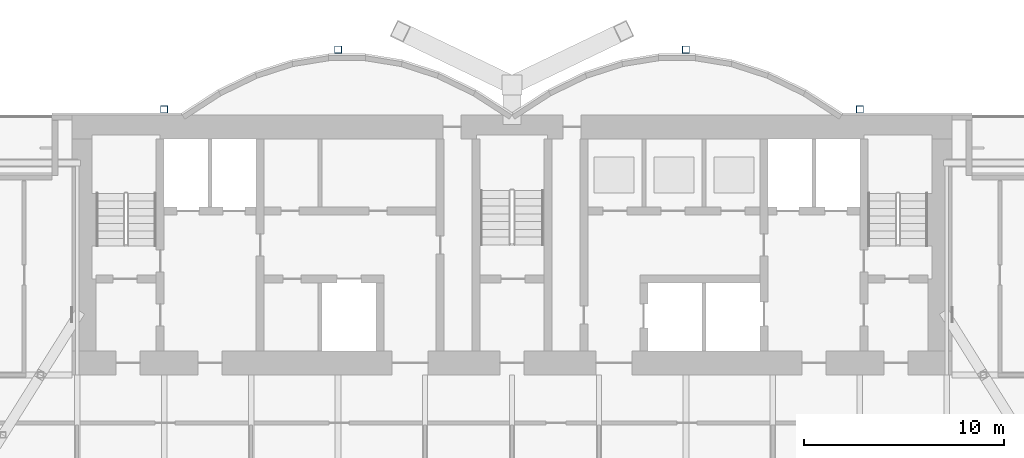
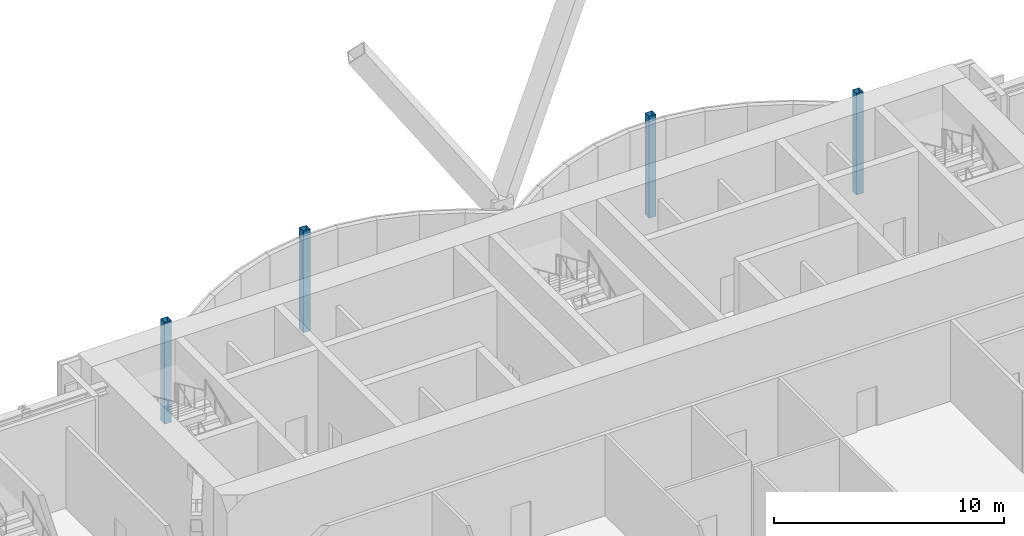
# One storey, part 3 of 31: 4 columns.
"""IFC4 building model written with IfcOpenShell, lengths in metres."""

from ifc_helpers import new_model, si_unit, direction, frame, origin, origin_2d, place, context, subcontext, project, spatial, hollow_rectangle, extrude, material, material_profile, profile_set, type_object, element, save


model = new_model("IFC4")

# Units and contexts
model_context = context("Model", 3, precision=1e-05, world=origin(), true_north=direction((0.0, 1.0)))
body_context = subcontext(model_context, "Body", "Model", "MODEL_VIEW")
ifc_project = project(units=[si_unit("LENGTHUNIT", "METRE"), si_unit("AREAUNIT", "SQUARE_METRE"), si_unit("VOLUMEUNIT", "CUBIC_METRE"), si_unit("PLANEANGLEUNIT", "RADIAN"), si_unit("MASSUNIT", "GRAM", prefix="KILO")], contexts=[model_context])

# Site, building, storey
site_placement = place(None, origin())
site = spatial("IfcSite", under=ifc_project, at=site_placement, CompositionType="ELEMENT")
building_placement = place(site_placement, origin())
building = spatial("IfcBuilding", under=site, at=building_placement, Name="Bicima Exchange Tower", CompositionType="ELEMENT")
storey_placement = place(building_placement, frame((0.0, 0.0, 236.0)))
storey = spatial("IfcBuildingStorey", under=building, at=storey_placement, Name="L53", CompositionType="ELEMENT", Elevation=236.0)

# Columns
ifc_material = material(Name="Steel ASTM A572 Gr 50", Category="steel")
ifc_material_profile = material_profile(ifc_material, hollow_rectangle(XDim=0.355712890625, YDim=0.355712890625, WallThickness=0.01171875, at=origin_2d()))
ifc_profile_set = profile_set([ifc_material_profile], Name="Steel ASTM A572 Gr 50")
column_type = type_object("IfcColumnType", Name="Rear pilaster HSS14x14x1/2", PredefinedType="COLUMN", material=ifc_profile_set)
for number, where, z_axis, x_axis, name in (
    (1, (-8.699951171875, 3.26904296875, 0.0), (0.0, 0.0, 1.0), (1.0, 0.0, 0.0), "Rear pilaster rexo-8.7r"),
    (2, (-17.39990234375, 0.278076171875, 0.0), (0.0, 0.0, 1.0), (1.0, 0.0, 0.0), "Rear pilaster rexo-17.4r"),
    (3, (8.699951171875, 3.26904296875, 0.0), (0.0, 0.0, 1.0), (1.0, 0.0, 0.0), "Rear pilaster rexo+8.7r"),
    (4, (17.39990234375, 0.278076171875, 0.0), (0.0, 0.0, 1.0), (1.0, 0.0, 0.0), "Rear pilaster rexo+17.4r"),
):
    element("IfcColumn", number, at=place(storey_placement, frame(where, z_axis=z_axis, x_axis=x_axis)), inside=storey, type_object=column_type, Name=name, PredefinedType="COLUMN", context=body_context, shape_type="SweptSolid", body=[
        extrude(hollow_rectangle(XDim=0.355712890625, YDim=0.355712890625, WallThickness=0.01171875, at=origin_2d()), origin(), (0.0, 0.0, 1.0), 5.39990234375),
    ])

save(model, "model.ifc")
